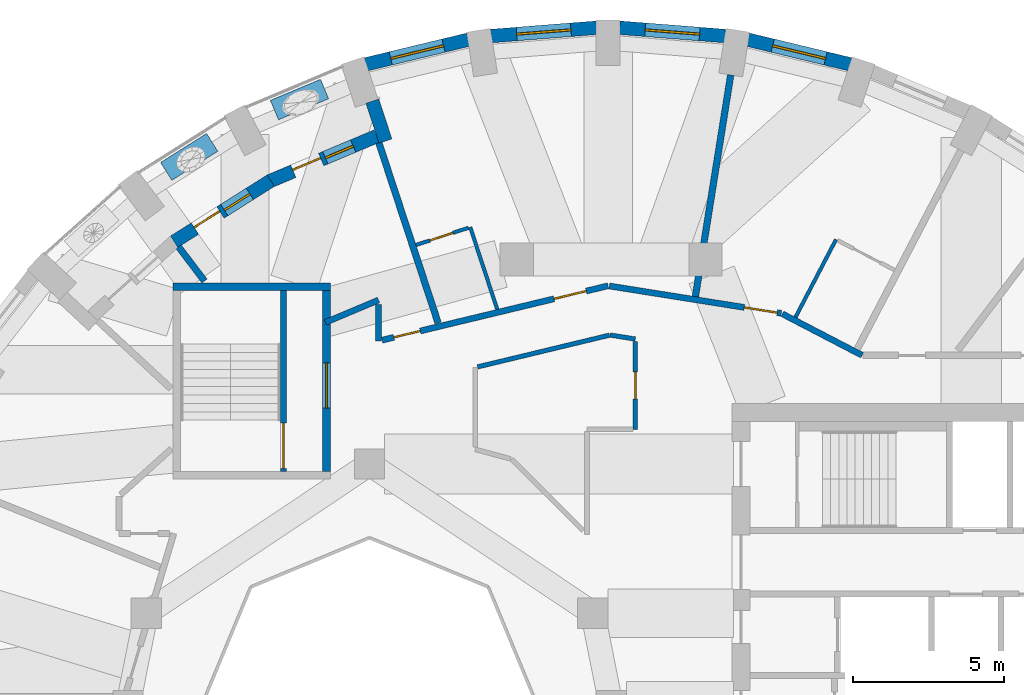
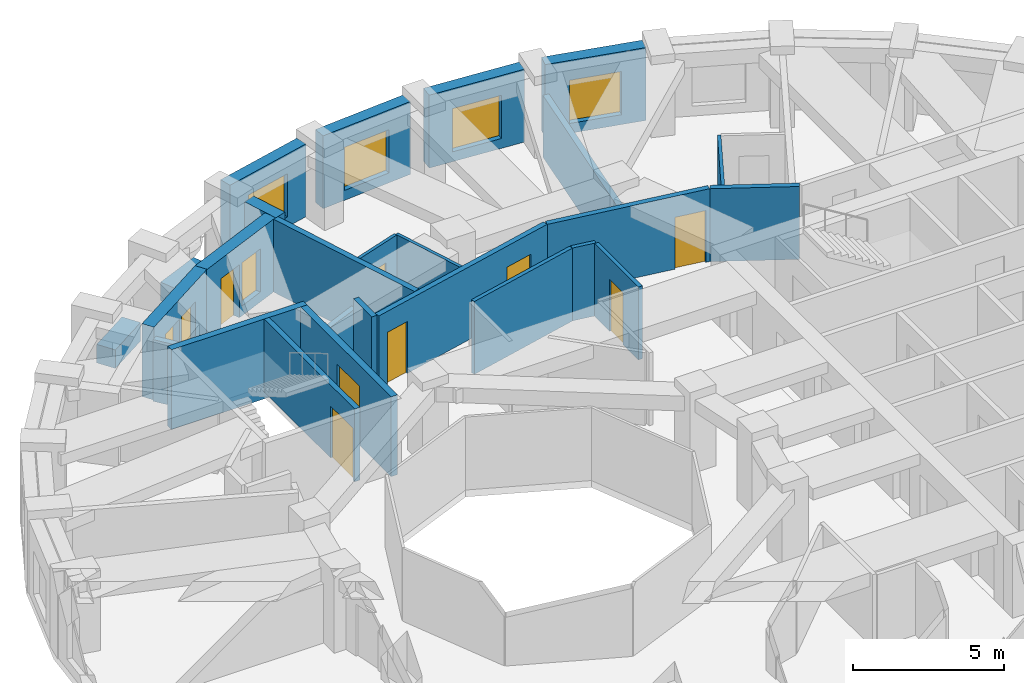
# One storey, part 7 of 12: 26 walls, 9 doors, 6 windows, 15 openings.
"""IFC4 building model written with IfcOpenShell, lengths in metres."""

import ifcopenshell
import ifcopenshell.guid

model = None  # the IFC model being written
_history = None  # IfcOwnerHistory: only IFC2X3 demands one
_inside = {}  # id of a spatial element -> (the spatial element, [elements in it])
_under = {}  # id of a project, library or spatial element -> (it, [spatial elements below it])
_declared = {}  # id of a project -> (the project, [libraries it declares])
_typed = {}  # id of a type object -> (the type object, [elements of that type])
_made_of = {}  # id of a material, layer set ... -> (it, [elements and type objects made of it])


def new_model(schema):
    """Start an empty IFC model of exactly this schema.

    Asked for "IFC4X3", IfcOpenShell would pick the latest addendum, in which some entities
    have other attributes; the version numbers below select the first issue.
    IFC2X3 requires an IfcOwnerHistory on every rooted entity: one is made here for all.
    """
    global model, _history
    if schema == "IFC4X3":
        model = ifcopenshell.file(schema_version=(4, 3, 0, 0))
    else:
        model = ifcopenshell.file(schema=schema)
    _inside.clear()
    _under.clear()
    _declared.clear()
    _typed.clear()
    _made_of.clear()
    _history = None
    if model.schema == "IFC2X3":
        org = make("IfcOrganization", Name="unknown")
        user = make(
            "IfcPersonAndOrganization",
            ThePerson=make("IfcPerson", FamilyName="unknown"),
            TheOrganization=org,
        )
        app = make(
            "IfcApplication",
            ApplicationDeveloper=org,
            Version="unknown",
            ApplicationFullName="unknown",
            ApplicationIdentifier="unknown",
        )
        _history = make(
            "IfcOwnerHistory",
            OwningUser=user,
            OwningApplication=app,
            ChangeAction="ADDED",
            CreationDate=0,
        )
    return model


def make(cls, **values):
    """One entity of the class cls with the attributes given. An attribute that is None is left unset."""
    return model.create_entity(
        cls, **{name: value for name, value in values.items() if value is not None}
    )


def rooted(cls, **values):
    """An entity with a GlobalId (a new one), such as an element, a storey or a relation."""
    return make(cls, GlobalId=ifcopenshell.guid.new(), OwnerHistory=_history, **values)


def si_unit(unit_type, name, prefix=None):
    """IfcSIUnit, for example si_unit("LENGTHUNIT", "METRE", prefix="MILLI")."""
    return make("IfcSIUnit", UnitType=unit_type, Prefix=prefix, Name=name)


def assignment(units):
    """IfcUnitAssignment: the units of a project."""
    return None if units is None else make("IfcUnitAssignment", Units=units)


def point(xyz):
    """IfcCartesianPoint."""
    return None if xyz is None else make("IfcCartesianPoint", Coordinates=xyz)


def direction(xyz):
    """IfcDirection."""
    return None if xyz is None else make("IfcDirection", DirectionRatios=xyz)


def frame(location, z_axis=None, x_axis=None):
    """IfcAxis2Placement3D, a coordinate frame: its origin and axes. An axis left out is left unset."""
    return make(
        "IfcAxis2Placement3D",
        Location=point(location),
        Axis=direction(z_axis),
        RefDirection=direction(x_axis),
    )


def frame_2d(location, x_axis=None):
    """IfcAxis2Placement2D, a coordinate frame in the plane: its origin and x axis."""
    return make(
        "IfcAxis2Placement2D", Location=point(location), RefDirection=direction(x_axis)
    )


def origin():
    """The frame at (0, 0, 0) with its axes left unset."""
    return frame((0.0, 0.0, 0.0))


def place(relative_to, where):
    """IfcLocalPlacement: puts the frame where relative to a parent placement (None: the world)."""
    return make(
        "IfcLocalPlacement", PlacementRelTo=relative_to, RelativePlacement=where
    )


def context(
    kind, dimensions, precision=None, world=None, true_north=None, identifier=None
):
    """IfcGeometricRepresentationContext, for example the 3D "Model" context."""
    return make(
        "IfcGeometricRepresentationContext",
        ContextIdentifier=identifier,
        ContextType=kind,
        CoordinateSpaceDimension=dimensions,
        Precision=precision,
        WorldCoordinateSystem=world,
        TrueNorth=true_north,
    )


def subcontext(parent, identifier, kind, view, scale=None):
    """IfcGeometricRepresentationSubContext, for example "Body" below "Model"."""
    return make(
        "IfcGeometricRepresentationSubContext",
        ContextIdentifier=identifier,
        ContextType=kind,
        ParentContext=parent,
        TargetScale=scale,
        TargetView=view,
    )


def project(units=None, contexts=None):
    """IfcProject with its units and contexts."""
    return rooted(
        "IfcProject",
        Name="project",
        RepresentationContexts=contexts,
        UnitsInContext=assignment(units),
    )


def spatial(cls, under=None, at=None, **own):
    """A site, building, storey or space (cls), placed at a placement, below another one or the project."""
    s = rooted(cls, ObjectPlacement=at, **own)
    if under is not None:
        _under.setdefault(under.id(), (under, []))[1].append(s)
    return s


def profile(cls, at=None, kind="AREA", **sizes):
    """A parametric profile (cls). Its sizes go by their IFC names, for example OverallWidth=200.0."""
    return make(cls, ProfileType=kind, Position=at, **sizes)


def rectangle(**sizes):
    """IfcRectangleProfileDef."""
    return profile("IfcRectangleProfileDef", **sizes)


def extrude(swept, where, along, depth):
    """IfcExtrudedAreaSolid: the profile swept, set in the frame where, extruded along a direction by depth."""
    return make(
        "IfcExtrudedAreaSolid",
        SweptArea=swept,
        Position=where,
        ExtrudedDirection=direction(along),
        Depth=depth,
    )


def shape(context_of_items, identifier, shape_type, items):
    """IfcShapeRepresentation: the items that make up one representation, for example the "Body"."""
    return make(
        "IfcShapeRepresentation",
        ContextOfItems=context_of_items,
        RepresentationIdentifier=identifier,
        RepresentationType=shape_type,
        Items=items,
    )


def material(Name=None, Category=None):
    """IfcMaterial."""
    return make("IfcMaterial", Name=Name, Category=Category)


def layer(
    of_material, thickness, ventilated=None, Name=None, Category=None, Priority=None
):
    """IfcMaterialLayer: one layer of a wall or slab, of a material (None: an air gap)."""
    return make(
        "IfcMaterialLayer",
        Material=of_material,
        LayerThickness=thickness,
        IsVentilated=ventilated,
        Name=Name,
        Category=Category,
        Priority=Priority,
    )


def layer_set(layers, Name=None):
    """IfcMaterialLayerSet."""
    return make("IfcMaterialLayerSet", MaterialLayers=layers, LayerSetName=Name)


def constituent(of_material, Name=None, Category=None, fraction=None):
    """IfcMaterialConstituent: one of the materials an element consists of."""
    return make(
        "IfcMaterialConstituent",
        Name=Name,
        Material=of_material,
        Fraction=fraction,
        Category=Category,
    )


def constituent_set(constituents=None, Name=None):
    """IfcMaterialConstituentSet."""
    return make(
        "IfcMaterialConstituentSet", Name=Name, MaterialConstituents=constituents
    )


def made_of(thing, what):
    """Note that an element or type object is made of a material, layer set ...; save() writes the relation."""
    if what is not None:
        _made_of.setdefault(what.id(), (what, []))[1].append(thing)
    return thing


def type_object(cls, material=None, **own):
    """A type object (cls), such as IfcWallType, which elements share."""
    return made_of(rooted(cls, **own), material)


def element(
    cls,
    number,
    at=None,
    inside=None,
    cuts=None,
    type_object=None,
    material=None,
    context=None,
    identifier="Body",
    shape_type=None,
    held_by="IfcProductDefinitionShape",
    body=None,
    shapes=None,
    **own,
):
    """One element of the class cls, such as IfcWall. Its Tag is "e" and its number.

    at: its placement. inside: the storey or other place that contains it. cuts: it is an
    opening in that element (IfcRelVoidsElement). A single representation is given by context,
    identifier, shape_type and body (its items); several are given by shapes. held_by: the class
    of the entity that holds the representations. save() writes the other relations.
    """
    e = rooted(cls, Tag="e%d" % number, ObjectPlacement=at, **own)
    if body is not None:
        shapes = [shape(context, identifier, shape_type, body)]
    if shapes is not None:
        e.Representation = make(held_by, Representations=shapes)
    if inside is not None:
        _inside.setdefault(inside.id(), (inside, []))[1].append(e)
    if cuts is not None:
        rooted(
            "IfcRelVoidsElement", RelatingBuildingElement=cuts, RelatedOpeningElement=e
        )
    if type_object is not None:
        _typed.setdefault(type_object.id(), (type_object, []))[1].append(e)
    return made_of(e, material)


def fill(opening, filler):
    """IfcRelFillsElement: the door or window that sits in an opening."""
    return rooted(
        "IfcRelFillsElement",
        RelatingOpeningElement=opening,
        RelatedBuildingElement=filler,
    )


def aggregate(whole, parts):
    """IfcRelAggregates: a whole, such as a stair, and the parts it consists of."""
    return rooted("IfcRelAggregates", RelatingObject=whole, RelatedObjects=parts)


def save(model, path):
    """Write the relations noted so far, then the file.

    IfcRelAggregates (storeys below a building ...), IfcRelContainedInSpatialStructure (elements
    in a storey), IfcRelDefinesByType, IfcRelAssociatesMaterial and IfcRelDeclares: one each for
    every whole, place, type object, material and project.
    """
    for whole, parts in _under.values():
        aggregate(whole, parts)
    for where, things in _inside.values():
        rooted(
            "IfcRelContainedInSpatialStructure",
            RelatedElements=things,
            RelatingStructure=where,
        )
    for kind, things in _typed.values():
        rooted("IfcRelDefinesByType", RelatedObjects=things, RelatingType=kind)
    for what, things in _made_of.values():
        rooted("IfcRelAssociatesMaterial", RelatedObjects=things, RelatingMaterial=what)
    for by, libraries in _declared.values():
        rooted("IfcRelDeclares", RelatingContext=by, RelatedDefinitions=libraries)
    model.write(path)


model = new_model("IFC4")

# Units and contexts
model_context = context("Model", 3, precision=1e-05, world=origin(), true_north=direction((0.0, 1.0)))
body_context = subcontext(model_context, "Body", "Model", "MODEL_VIEW")
ifc_project = project(units=[si_unit("LENGTHUNIT", "METRE"), si_unit("AREAUNIT", "SQUARE_METRE"), si_unit("VOLUMEUNIT", "CUBIC_METRE"), si_unit("PLANEANGLEUNIT", "RADIAN"), si_unit("MASSUNIT", "GRAM", prefix="KILO")], contexts=[model_context])

# Site, building, storey
site_placement = place(None, origin())
site = spatial("IfcSite", under=ifc_project, at=site_placement, CompositionType="ELEMENT")
building_placement = place(site_placement, origin())
building = spatial("IfcBuilding", under=site, at=building_placement, Name="Taillehof Tower", CompositionType="ELEMENT")
storey_placement = place(building_placement, frame((0.0, 0.0, 256.39990234375)))
storey = spatial("IfcBuildingStorey", under=building, at=storey_placement, Name="L73", CompositionType="ELEMENT", Elevation=256.39990234375)

# Wall, opening, window
ifc_material_1 = material(Name="Brick masonry", Category="masonry")
ifc_layer_1 = layer(ifc_material_1, 0.449951171875)
ifc_layer_set_1 = layer_set([ifc_layer_1], Name="Brick infill wall 450")
wall_type_1 = type_object("IfcWallType", Name="Brick infill wall 450", PredefinedType="SOLIDWALL", material=ifc_layer_set_1)
wall_1_placement = place(storey_placement, frame((7.918701171875, 21.231689453125, 0.0), z_axis=(0.0, 0.0, 1.0), x_axis=(-0.972099278496, 0.23456980357, 0.0)))
wall_1 = element("IfcWall", 1, at=wall_1_placement, inside=storey, type_object=wall_type_1, Name="Brick wall L73 bay 8", PredefinedType="SOLIDWALL", context=body_context, shape_type="SweptSolid", body=[
    extrude(rectangle(XDim=3.486572265625, YDim=0.449951171875, at=frame_2d((1.7431640625, 0.0))), origin(), (0.0, 0.0, 1.0), 2.9501953125),
])
opening_1_placement = place(wall_1_placement, frame((0.84326171875, 0.0, 0.39990234375)))
opening_1 = element("IfcOpeningElement", 2, at=opening_1_placement, cuts=wall_1, Name="Opening W4", PredefinedType="OPENING", context=body_context, shape_type="SweptSolid", body=[
    extrude(rectangle(XDim=1.800048828125, YDim=1.75, at=frame_2d((0.89990234375, 0.875))), frame((0.0, 0.23486328125, 0.0), z_axis=(0.0, -1.0, 0.0), x_axis=(1.0, 0.0, 0.0)), (0.0, 0.0, 1.0), 0.469970703125),
])
ifc_material_2 = material(Name="Aluminium window frame with clear double glazing", Category="aluminium")
window_type_1 = type_object("IfcWindowType", Name="Deep-set window 1800x1750", PartitioningType="SINGLE_PANEL", PredefinedType="WINDOW", material=ifc_material_2)
window_1_placement = place(opening_1_placement, origin())
window_1 = element("IfcWindow", 3, at=window_1_placement, inside=storey, type_object=window_type_1, Name="W4", OverallHeight=1.75, OverallWidth=1.800048828125, PartitioningType="SINGLE_PANEL", PredefinedType="WINDOW", context=body_context, shape_type="SweptSolid", body=[
    extrude(rectangle(XDim=1.800048828125, YDim=1.75, at=frame_2d((0.89990234375, 0.875))), frame((0.0, 0.034912109375, 0.0), z_axis=(0.0, -1.0, 0.0), x_axis=(1.0, 0.0, 0.0)), (0.0, 0.0, 1.0), 0.06005859375),
])
fill(opening_1, window_1)

wall_2_placement = place(storey_placement, frame((3.778564453125, 22.168701171875, 0.0), z_axis=(0.0, 0.0, 1.0), x_axis=(-0.996910775835, 0.078542377245, 0.0)))
wall_2 = element("IfcWall", 4, at=wall_2_placement, inside=storey, type_object=wall_type_1, Name="Brick wall L73 bay 9", PredefinedType="SOLIDWALL", context=body_context, shape_type="SweptSolid", body=[
    extrude(rectangle(XDim=3.50927734375, YDim=0.449951171875, at=frame_2d((1.754638671875, 0.0))), origin(), (0.0, 0.0, 1.0), 2.9501953125),
])
opening_2_placement = place(wall_2_placement, frame((0.854736328125, 0.0, 0.39990234375)))
opening_2 = element("IfcOpeningElement", 5, at=opening_2_placement, cuts=wall_2, Name="Opening W4", PredefinedType="OPENING", context=body_context, shape_type="SweptSolid", body=[
    extrude(rectangle(XDim=1.800048828125, YDim=1.75, at=frame_2d((0.89990234375, 0.875))), frame((0.0, 0.23486328125, 0.0), z_axis=(0.0, -1.0, 0.0), x_axis=(1.0, 0.0, 0.0)), (0.0, 0.0, 1.0), 0.469970703125),
])
window_2_placement = place(opening_2_placement, origin())
window_2 = element("IfcWindow", 6, at=window_2_placement, inside=storey, type_object=window_type_1, Name="W4", OverallHeight=1.75, OverallWidth=1.800048828125, PartitioningType="SINGLE_PANEL", PredefinedType="WINDOW", context=body_context, shape_type="SweptSolid", body=[
    extrude(rectangle(XDim=1.800048828125, YDim=1.75, at=frame_2d((0.89990234375, 0.875))), frame((0.0, 0.034912109375, 0.0), z_axis=(0.0, -1.0, 0.0), x_axis=(1.0, 0.0, 0.0)), (0.0, 0.0, 1.0), 0.06005859375),
])
fill(opening_2, window_2)

wall_3_placement = place(storey_placement, frame((-0.47998046875, 22.4443359375, 0.0), z_axis=(0.0, 0.0, 1.0), x_axis=(-0.996910775835, -0.078542377245, 0.0)))
wall_3 = element("IfcWall", 7, at=wall_3_placement, inside=storey, type_object=wall_type_1, Name="Brick wall L73 bay 10", PredefinedType="SOLIDWALL", context=body_context, shape_type="SweptSolid", body=[
    extrude(rectangle(XDim=3.50927734375, YDim=0.449951171875, at=frame_2d((1.754638671875, 0.0))), origin(), (0.0, 0.0, 1.0), 2.9501953125),
])
opening_3_placement = place(wall_3_placement, frame((0.854736328125, 0.0, 0.39990234375)))
opening_3 = element("IfcOpeningElement", 8, at=opening_3_placement, cuts=wall_3, Name="Opening W4", PredefinedType="OPENING", context=body_context, shape_type="SweptSolid", body=[
    extrude(rectangle(XDim=1.800048828125, YDim=1.75, at=frame_2d((0.89990234375, 0.875))), frame((0.0, 0.23486328125, 0.0), z_axis=(0.0, -1.0, 0.0), x_axis=(1.0, 0.0, 0.0)), (0.0, 0.0, 1.0), 0.469970703125),
])
window_3_placement = place(opening_3_placement, origin())
window_3 = element("IfcWindow", 9, at=window_3_placement, inside=storey, type_object=window_type_1, Name="W4", OverallHeight=1.75, OverallWidth=1.800048828125, PartitioningType="SINGLE_PANEL", PredefinedType="WINDOW", context=body_context, shape_type="SweptSolid", body=[
    extrude(rectangle(XDim=1.800048828125, YDim=1.75, at=frame_2d((0.89990234375, 0.875))), frame((0.0, 0.034912109375, 0.0), z_axis=(0.0, -1.0, 0.0), x_axis=(1.0, 0.0, 0.0)), (0.0, 0.0, 1.0), 0.06005859375),
])
fill(opening_3, window_3)

wall_4_placement = place(storey_placement, frame((-4.729248046875, 22.049560546875, 0.0), z_axis=(0.0, 0.0, 1.0), x_axis=(-0.972099278496, -0.23456980357, 0.0)))
wall_4 = element("IfcWall", 10, at=wall_4_placement, inside=storey, type_object=wall_type_1, Name="Brick wall L73 bay 11", PredefinedType="SOLIDWALL", context=body_context, shape_type="SweptSolid", body=[
    extrude(rectangle(XDim=3.486572265625, YDim=0.449951171875, at=frame_2d((1.7431640625, 0.0))), origin(), (0.0, 0.0, 1.0), 2.9501953125),
])
opening_4_placement = place(wall_4_placement, frame((0.84326171875, 0.0, 0.39990234375)))
opening_4 = element("IfcOpeningElement", 11, at=opening_4_placement, cuts=wall_4, Name="Opening W4", PredefinedType="OPENING", context=body_context, shape_type="SweptSolid", body=[
    extrude(rectangle(XDim=1.800048828125, YDim=1.75, at=frame_2d((0.89990234375, 0.875))), frame((0.0, 0.23486328125, 0.0), z_axis=(0.0, -1.0, 0.0), x_axis=(1.0, 0.0, 0.0)), (0.0, 0.0, 1.0), 0.469970703125),
])
window_4_placement = place(opening_4_placement, origin())
window_4 = element("IfcWindow", 12, at=window_4_placement, inside=storey, type_object=window_type_1, Name="W4", OverallHeight=1.75, OverallWidth=1.800048828125, PartitioningType="SINGLE_PANEL", PredefinedType="WINDOW", context=body_context, shape_type="SweptSolid", body=[
    extrude(rectangle(XDim=1.800048828125, YDim=1.75, at=frame_2d((0.89990234375, 0.875))), frame((0.0, 0.034912109375, 0.0), z_axis=(0.0, -1.0, 0.0), x_axis=(1.0, 0.0, 0.0)), (0.0, 0.0, 1.0), 0.06005859375),
])
fill(opening_4, window_4)

# Wall
wall_5_placement = place(storey_placement, frame((-7.90625, 20.013671875, 0.0), z_axis=(0.0, 0.0, 1.0), x_axis=(0.312379684595, -0.949957332017, 0.0)))
element("IfcWall", 13, at=wall_5_placement, inside=storey, type_object=wall_type_1, Name="Brick reveal L73 pocket 3", PredefinedType="SOLIDWALL", context=body_context, shape_type="SweptSolid", body=[
    extrude(rectangle(XDim=1.390380859375, YDim=0.449951171875, at=frame_2d((0.6953125, 0.0))), origin(), (0.0, 0.0, 1.0), 2.9501953125),
])

# Wall, openings, door, window
wall_6_placement = place(storey_placement, frame((-7.761962890625, 18.854736328125, 0.0), z_axis=(0.0, 0.0, 1.0), x_axis=(-0.921611451737, -0.388113813239, 0.0)))
wall_6 = element("IfcWall", 14, at=wall_6_placement, inside=storey, type_object=wall_type_1, Name="Brick wall L73 pocket bay 12", PredefinedType="SOLIDWALL", context=body_context, shape_type="SweptSolid", body=[
    extrude(rectangle(XDim=3.84228515625, YDim=0.449951171875, at=frame_2d((1.921142578125, 0.0))), origin(), (0.0, 0.0, 1.0), 2.9501953125),
])
opening_5_placement = place(wall_6_placement, frame((0.845947265625, 0.0, 0.39990234375)))
opening_5 = element("IfcOpeningElement", 15, at=opening_5_placement, cuts=wall_6, Name="Opening W5", PredefinedType="OPENING", context=body_context, shape_type="SweptSolid", body=[
    extrude(rectangle(XDim=1.0, YDim=1.75, at=frame_2d((0.5, 0.875))), frame((0.0, 0.23486328125, 0.0), z_axis=(0.0, -1.0, 0.0), x_axis=(1.0, 0.0, 0.0)), (0.0, 0.0, 1.0), 0.469970703125),
])
opening_6_placement = place(wall_6_placement, frame((1.99609375, 0.0, 0.0)))
opening_6 = element("IfcOpeningElement", 16, at=opening_6_placement, cuts=wall_6, Name="Opening D7391", PredefinedType="OPENING", context=body_context, shape_type="SweptSolid", body=[
    extrude(rectangle(XDim=1.0, YDim=2.14990234375, at=frame_2d((0.5, 1.074951171875))), frame((0.0, 0.23486328125, 0.0), z_axis=(0.0, -1.0, 0.0), x_axis=(1.0, 0.0, 0.0)), (0.0, 0.0, 1.0), 0.469970703125),
])
ifc_material_3 = material(Name="Aluminium door frame with clear double glazing", Category="aluminium")
door_type_1 = type_object("IfcDoorType", Name="Balcony door 1000x2150", OperationType="SINGLE_SWING_RIGHT", PredefinedType="DOOR", material=ifc_material_3)
door_1_placement = place(opening_6_placement, frame((1.0, 0.0, 0.0), z_axis=(0.0, 0.0, 1.0), x_axis=(-1.0, 0.0, 0.0)))
door_1 = element("IfcDoor", 17, at=door_1_placement, inside=storey, type_object=door_type_1, Name="Balcony door L73 bay 12", OperationType="SINGLE_SWING_RIGHT", OverallHeight=2.14990234375, OverallWidth=1.0, PredefinedType="DOOR", context=body_context, shape_type="SweptSolid", body=[
    extrude(rectangle(XDim=1.0, YDim=2.14990234375, at=frame_2d((0.5, 1.074951171875))), frame((0.0, 0.0751953125, 0.0), z_axis=(0.0, -1.0, 0.0), x_axis=(1.0, 0.0, 0.0)), (0.0, 0.0, 1.0), 0.050048828125),
])
fill(opening_6, door_1)
ifc_material_4 = material(Name="Aluminium window frame with clear double glazing", Category="aluminium")
window_type_2 = type_object("IfcWindowType", Name="Fixed window 1000x1750", PartitioningType="SINGLE_PANEL", PredefinedType="WINDOW", material=ifc_material_4)
window_5_placement = place(opening_5_placement, origin())
window_5 = element("IfcWindow", 18, at=window_5_placement, inside=storey, type_object=window_type_2, Name="W5", OverallHeight=1.75, OverallWidth=1.0, PartitioningType="SINGLE_PANEL", PredefinedType="WINDOW", context=body_context, shape_type="SweptSolid", body=[
    extrude(rectangle(XDim=1.0, YDim=1.75, at=frame_2d((0.5, 0.875))), frame((0.0, 0.034912109375, 0.0), z_axis=(0.0, -1.0, 0.0), x_axis=(1.0, 0.0, 0.0)), (0.0, 0.0, 1.0), 0.06005859375),
])
fill(opening_5, window_5)

wall_7_placement = place(storey_placement, frame((-11.27001953125, 17.380859375, 0.0), z_axis=(0.0, 0.0, 1.0), x_axis=(-0.845176295427, -0.534487632831, 0.0)))
wall_7 = element("IfcWall", 19, at=wall_7_placement, inside=storey, type_object=wall_type_1, Name="Brick wall L73 pocket bay 13", PredefinedType="SOLIDWALL", context=body_context, shape_type="SweptSolid", body=[
    extrude(rectangle(XDim=3.78759765625, YDim=0.449951171875, at=frame_2d((1.893798828125, 0.0))), origin(), (0.0, 0.0, 1.0), 2.9501953125),
])
opening_7_placement = place(wall_7_placement, frame((0.81884765625, 0.0, 0.39990234375)))
opening_7 = element("IfcOpeningElement", 20, at=opening_7_placement, cuts=wall_7, Name="Opening W5", PredefinedType="OPENING", context=body_context, shape_type="SweptSolid", body=[
    extrude(rectangle(XDim=1.0, YDim=1.75, at=frame_2d((0.5, 0.875))), frame((0.0, 0.23486328125, 0.0), z_axis=(0.0, -1.0, 0.0), x_axis=(1.0, 0.0, 0.0)), (0.0, 0.0, 1.0), 0.469970703125),
])
opening_8_placement = place(wall_7_placement, frame((1.96875, 0.0, 0.0)))
opening_8 = element("IfcOpeningElement", 21, at=opening_8_placement, cuts=wall_7, Name="Opening D7392", PredefinedType="OPENING", context=body_context, shape_type="SweptSolid", body=[
    extrude(rectangle(XDim=1.0, YDim=2.14990234375, at=frame_2d((0.5, 1.074951171875))), frame((0.0, 0.23486328125, 0.0), z_axis=(0.0, -1.0, 0.0), x_axis=(1.0, 0.0, 0.0)), (0.0, 0.0, 1.0), 0.469970703125),
])
door_2_placement = place(opening_8_placement, frame((1.0, 0.0, 0.0), z_axis=(0.0, 0.0, 1.0), x_axis=(-1.0, 0.0, 0.0)))
door_2 = element("IfcDoor", 22, at=door_2_placement, inside=storey, type_object=door_type_1, Name="Balcony door L73 bay 13", OperationType="SINGLE_SWING_LEFT", OverallHeight=2.14990234375, OverallWidth=1.0, PredefinedType="DOOR", context=body_context, shape_type="SweptSolid", body=[
    extrude(rectangle(XDim=1.0, YDim=2.14990234375, at=frame_2d((0.5, 1.074951171875))), frame((0.0, 0.0751953125, 0.0), z_axis=(0.0, -1.0, 0.0), x_axis=(1.0, 0.0, 0.0)), (0.0, 0.0, 1.0), 0.050048828125),
])
fill(opening_8, door_2)
window_6_placement = place(opening_7_placement, origin())
window_6 = element("IfcWindow", 23, at=window_6_placement, inside=storey, type_object=window_type_2, Name="W5", OverallHeight=1.75, OverallWidth=1.0, PartitioningType="SINGLE_PANEL", PredefinedType="WINDOW", context=body_context, shape_type="SweptSolid", body=[
    extrude(rectangle(XDim=1.0, YDim=1.75, at=frame_2d((0.5, 0.875))), frame((0.0, 0.034912109375, 0.0), z_axis=(0.0, -1.0, 0.0), x_axis=(1.0, 0.0, 0.0)), (0.0, 0.0, 1.0), 0.06005859375),
])
fill(opening_7, window_6)

# Walls
ifc_material_5 = material(Name="Gypsum board on steel studs, two layers each side", Category="steel")
ifc_layer_2 = layer(ifc_material_5, 0.199951171875)
ifc_layer_set_2 = layer_set([ifc_layer_2], Name="Compartment wall corridor 200")
wall_type_2 = type_object("IfcWallType", Name="Compartment wall corridor 200", PredefinedType="PARTITIONING", material=ifc_layer_set_2)
wall_8_placement = place(storey_placement, frame((-9.46044921875, 12.687255859375, 0.0), z_axis=(0.0, 0.0, 1.0), x_axis=(0.92164499827, 0.388034144328, 0.0)))
element("IfcWall", 24, at=wall_8_placement, inside=storey, type_object=wall_type_2, Name="Compartment wall", PredefinedType="PARTITIONING", context=body_context, shape_type="SweptSolid", body=[
    extrude(rectangle(XDim=1.91015625, YDim=0.199951171875, at=frame_2d((0.955078125, 0.0))), origin(), (0.0, 0.0, 1.0), 2.5),
])
wall_9_placement = place(storey_placement, frame((-7.699951171875, 13.288330078125, 0.0), z_axis=(0.0, 0.0, 1.0), x_axis=(0.0, -1.0, 0.0)))
element("IfcWall", 25, at=wall_9_placement, inside=storey, type_object=wall_type_2, Name="Compartment wall", PredefinedType="PARTITIONING", context=body_context, shape_type="SweptSolid", body=[
    extrude(rectangle(XDim=1.21630859375, YDim=0.199951171875, at=frame_2d((0.608154296875, 0.0))), origin(), (0.0, 0.0, 1.0), 2.9501953125),
])

# Wall, openings, doors
wall_10_placement = place(storey_placement, frame((-7.582763671875, 12.099853515625, 0.0), z_axis=(0.0, 0.0, 1.0), x_axis=(0.97226305798, 0.233890029903, 0.0)))
wall_10 = element("IfcWall", 26, at=wall_10_placement, inside=storey, type_object=wall_type_2, Name="Compartment wall", PredefinedType="PARTITIONING", context=body_context, shape_type="SweptSolid", body=[
    extrude(rectangle(XDim=7.696044921875, YDim=0.199951171875, at=frame_2d((3.84814453125, 0.0))), origin(), (0.0, 0.0, 1.0), 2.9501953125),
])
opening_9_placement = place(wall_10_placement, frame((5.85009765625, 0.0, 0.0)))
opening_9 = element("IfcOpeningElement", 27, at=opening_9_placement, cuts=wall_10, Name="Opening D7343", PredefinedType="OPENING", context=body_context, shape_type="SweptSolid", body=[
    extrude(rectangle(XDim=1.10009765625, YDim=2.10009765625, at=frame_2d((0.550048828125, 1.050048828125))), frame((0.0, 0.10986328125, 0.0), z_axis=(0.0, -1.0, 0.0), x_axis=(1.0, 0.0, 0.0)), (0.0, 0.0, 1.0), 0.219970703125),
])
opening_10_placement = place(wall_10_placement, frame((0.398681640625, 0.0, 0.0)))
opening_10 = element("IfcOpeningElement", 28, at=opening_10_placement, cuts=wall_10, Name="Opening D7345", PredefinedType="OPENING", context=body_context, shape_type="SweptSolid", body=[
    extrude(rectangle(XDim=0.89990234375, YDim=2.10009765625, at=frame_2d((0.449951171875, 1.050048828125))), frame((0.0, 0.10986328125, 0.0), z_axis=(0.0, -1.0, 0.0), x_axis=(1.0, 0.0, 0.0)), (0.0, 0.0, 1.0), 0.219970703125),
])
ifc_material_6 = material(Name="Timber door leaf in steel frame", Category="steel")
door_type_2 = type_object("IfcDoorType", Name="Service room door EI 30 900 x 2100", OperationType="SINGLE_SWING_LEFT", PredefinedType="DOOR", material=ifc_material_6)
door_3_placement = place(opening_10_placement, origin())
door_3 = element("IfcDoor", 29, at=door_3_placement, inside=storey, type_object=door_type_2, Name="D7345", OperationType="SINGLE_SWING_LEFT", OverallHeight=2.10009765625, OverallWidth=0.89990234375, PredefinedType="DOOR", context=body_context, shape_type="SweptSolid", body=[
    extrude(rectangle(XDim=0.89990234375, YDim=2.10009765625, at=frame_2d((0.449951171875, 1.050048828125))), frame((0.0, 0.02490234375, 0.0), z_axis=(0.0, -1.0, 0.0), x_axis=(1.0, 0.0, 0.0)), (0.0, 0.0, 1.0), 0.050048828125),
])
fill(opening_10, door_3)
ifc_material_7 = material(Name="Timber door leaf in steel frame", Category="steel")
door_type_3 = type_object("IfcDoorType", Name="Suite entrance door EI 30 1100 x 2100", OperationType="SINGLE_SWING_LEFT", PredefinedType="DOOR", material=ifc_material_7)
door_4_placement = place(opening_9_placement, origin())
door_4 = element("IfcDoor", 30, at=door_4_placement, inside=storey, type_object=door_type_3, Name="D7343", OperationType="SINGLE_SWING_LEFT", OverallHeight=2.10009765625, OverallWidth=1.10009765625, PredefinedType="DOOR", context=body_context, shape_type="SweptSolid", body=[
    extrude(rectangle(XDim=1.10009765625, YDim=2.10009765625, at=frame_2d((0.550048828125, 1.050048828125))), frame((0.0, 0.02490234375, 0.0), z_axis=(0.0, -1.0, 0.0), x_axis=(1.0, 0.0, 0.0)), (0.0, 0.0, 1.0), 0.050048828125),
])
fill(opening_9, door_4)

# Wall, opening, door
wall_11_placement = place(storey_placement, frame((-0.060546875, 13.8935546875, 0.0), z_axis=(0.0, 0.0, 1.0), x_axis=(0.987623870558, -0.156840971383, 0.0)))
wall_11 = element("IfcWall", 31, at=wall_11_placement, inside=storey, type_object=wall_type_2, Name="Compartment wall", PredefinedType="PARTITIONING", context=body_context, shape_type="SweptSolid", body=[
    extrude(rectangle(XDim=5.765625, YDim=0.199951171875, at=frame_2d((2.8828125, 0.0))), origin(), (0.0, 0.0, 1.0), 2.9501953125),
])
opening_11_placement = place(wall_11_placement, frame((4.525634765625, 0.0, 0.0)))
opening_11 = element("IfcOpeningElement", 32, at=opening_11_placement, cuts=wall_11, Name="Opening D7341", PredefinedType="OPENING", context=body_context, shape_type="SweptSolid", body=[
    extrude(rectangle(XDim=1.10009765625, YDim=2.10009765625, at=frame_2d((0.550048828125, 1.050048828125))), frame((0.0, 0.10986328125, 0.0), z_axis=(0.0, -1.0, 0.0), x_axis=(1.0, 0.0, 0.0)), (0.0, 0.0, 1.0), 0.219970703125),
])
ifc_material_8 = material(Name="Timber door leaf in steel frame", Category="steel")
door_type_4 = type_object("IfcDoorType", Name="Accessible guest room door EI 30 1100 x 2100", OperationType="SINGLE_SWING_LEFT", PredefinedType="DOOR", material=ifc_material_8)
door_5_placement = place(opening_11_placement, origin())
door_5 = element("IfcDoor", 33, at=door_5_placement, inside=storey, type_object=door_type_4, Name="D7341", OperationType="SINGLE_SWING_RIGHT", OverallHeight=2.10009765625, OverallWidth=1.10009765625, PredefinedType="DOOR", context=body_context, shape_type="SweptSolid", body=[
    extrude(rectangle(XDim=1.10009765625, YDim=2.10009765625, at=frame_2d((0.550048828125, 1.050048828125))), frame((0.0, 0.02490234375, 0.0), z_axis=(0.0, -1.0, 0.0), x_axis=(1.0, 0.0, 0.0)), (0.0, 0.0, 1.0), 0.050048828125),
])
fill(opening_11, door_5)

# Walls
wall_12_placement = place(storey_placement, frame((5.66943359375, 12.970703125, 0.0), z_axis=(0.0, 0.0, 1.0), x_axis=(0.887284047921, -0.461223393058, 0.0)))
element("IfcWall", 34, at=wall_12_placement, inside=storey, type_object=wall_type_2, Name="Compartment wall", PredefinedType="PARTITIONING", context=body_context, shape_type="SweptSolid", body=[
    extrude(rectangle(XDim=2.9716796875, YDim=0.199951171875, at=frame_2d((1.48583984375, 0.0))), origin(), (0.0, 0.0, 1.0), 2.9501953125),
])
ifc_material_9 = material(Name="Gypsum board on double steel studs with mineral wool", Category="steel")
ifc_layer_3 = layer(ifc_material_9, 0.219970703125)
ifc_layer_set_3 = layer_set([ifc_layer_3], Name="Compartment wall guest room 220")
wall_type_3 = type_object("IfcWallType", Name="Compartment wall guest room 220", PredefinedType="PARTITIONING", material=ifc_layer_set_3)
wall_13_placement = place(storey_placement, frame((3.958251953125, 20.88037109375, 0.0), z_axis=(0.0, 0.0, 1.0), x_axis=(-0.157281826031, -0.987553759144, 0.0)))
element("IfcWall", 35, at=wall_13_placement, inside=storey, type_object=wall_type_3, Name="Compartment wall", PredefinedType="PARTITIONING", context=body_context, shape_type="SweptSolid", body=[
    extrude(rectangle(XDim=7.4306640625, YDim=0.219970703125, at=frame_2d((3.71533203125, 0.0))), origin(), (0.0, 0.0, 1.0), 2.5),
])
wall_14_placement = place(storey_placement, frame((-7.691650390625, 18.640380859375, 0.0), z_axis=(0.0, 0.0, 1.0), x_axis=(0.312298025569, -0.949984180514, 0.0)))
element("IfcWall", 36, at=wall_14_placement, inside=storey, type_object=wall_type_3, Name="Compartment wall", PredefinedType="PARTITIONING", context=body_context, shape_type="SweptSolid", body=[
    extrude(rectangle(XDim=6.285400390625, YDim=0.219970703125, at=frame_2d((3.142578125, 0.0))), origin(), (0.0, 0.0, 1.0), 2.9501953125),
])
wall_15_placement = place(storey_placement, frame((-14.318603515625, 15.186767578125, 0.0), z_axis=(0.0, 0.0, 1.0), x_axis=(0.603937349714, -0.797031792101, 0.0)))
element("IfcWall", 37, at=wall_15_placement, inside=storey, type_object=wall_type_3, Name="Compartment wall", PredefinedType="PARTITIONING", context=body_context, shape_type="SweptSolid", body=[
    extrude(rectangle(XDim=1.416015625, YDim=0.219970703125, at=frame_2d((0.7080078125, 0.0))), origin(), (0.0, 0.0, 1.0), 2.5),
])
ifc_material_10 = material(Name="Gypsum board on steel studs, two layers each side", Category="steel")
ifc_layer_4 = layer(ifc_material_10, 0.14990234375)
ifc_layer_set_4 = layer_set([ifc_layer_4], Name="Compartment wall service room 150")
wall_type_4 = type_object("IfcWallType", Name="Compartment wall service room 150", PredefinedType="PARTITIONING", material=ifc_layer_set_4)
wall_16_placement = place(storey_placement, frame((-0.035888671875, 12.269775390625, 0.0), z_axis=(0.0, 0.0, 1.0), x_axis=(0.987612834354, -0.156910450318, 0.0)))
element("IfcWall", 38, at=wall_16_placement, inside=storey, type_object=wall_type_4, Name="Compartment wall", PredefinedType="PARTITIONING", context=body_context, shape_type="SweptSolid", body=[
    extrude(rectangle(XDim=0.846435546875, YDim=0.14990234375, at=frame_2d((0.42333984375, 0.0))), origin(), (0.0, 0.0, 1.0), 2.9501953125),
])

# Wall, opening, door
wall_17_placement = place(storey_placement, frame((0.800048828125, 12.056884765625, 0.0), z_axis=(0.0, 0.0, 1.0), x_axis=(0.0, -1.0, 0.0)))
wall_17 = element("IfcWall", 39, at=wall_17_placement, inside=storey, type_object=wall_type_4, Name="Compartment wall", PredefinedType="PARTITIONING", context=body_context, shape_type="SweptSolid", body=[
    extrude(rectangle(XDim=2.906982421875, YDim=0.14990234375, at=frame_2d((1.45361328125, 0.0))), origin(), (0.0, 0.0, 1.0), 2.9501953125),
])
opening_12_placement = place(wall_17_placement, frame((1.00341796875, 0.0, 0.0)))
opening_12 = element("IfcOpeningElement", 40, at=opening_12_placement, cuts=wall_17, Name="Opening D7359", PredefinedType="OPENING", context=body_context, shape_type="SweptSolid", body=[
    extrude(rectangle(XDim=0.89990234375, YDim=2.10009765625, at=frame_2d((0.449951171875, 1.050048828125))), frame((0.0, 0.0849609375, 0.0), z_axis=(0.0, -1.0, 0.0), x_axis=(1.0, 0.0, 0.0)), (0.0, 0.0, 1.0), 0.169921875),
])
door_6_placement = place(opening_12_placement, origin())
door_6 = element("IfcDoor", 41, at=door_6_placement, inside=storey, type_object=door_type_2, Name="D7359", OperationType="SINGLE_SWING_LEFT", OverallHeight=2.10009765625, OverallWidth=0.89990234375, PredefinedType="DOOR", context=body_context, shape_type="SweptSolid", body=[
    extrude(rectangle(XDim=0.89990234375, YDim=2.10009765625, at=frame_2d((0.449951171875, 1.050048828125))), frame((0.0, 0.02490234375, 0.0), z_axis=(0.0, -1.0, 0.0), x_axis=(1.0, 0.0, 0.0)), (0.0, 0.0, 1.0), 0.050048828125),
])
fill(opening_12, door_6)

# Walls
wall_18_placement = place(storey_placement, frame((-4.421875, 11.214599609375, 0.0), z_axis=(0.0, 0.0, 1.0), x_axis=(0.972256385538, 0.233917764997, 0.0)))
element("IfcWall", 42, at=wall_18_placement, inside=storey, type_object=wall_type_4, Name="Compartment wall", PredefinedType="PARTITIONING", context=body_context, shape_type="SweptSolid", body=[
    extrude(rectangle(XDim=4.490966796875, YDim=0.14990234375, at=frame_2d((2.24560546875, 0.0))), origin(), (0.0, 0.0, 1.0), 2.9501953125),
])
ifc_material_11 = material(Name="Gypsum board on steel studs, moisture resistant", Category="steel")
ifc_layer_5 = layer(ifc_material_11, 0.1201171875)
ifc_layer_set_5 = layer_set([ifc_layer_5], Name="En-suite wall 120")
wall_type_5 = type_object("IfcWallType", Name="En-suite wall 120", PredefinedType="PARTITIONING", material=ifc_layer_set_5)
wall_19_placement = place(storey_placement, frame((6.1025390625, 12.858154296875, 0.0), z_axis=(0.0, 0.0, 1.0), x_axis=(0.462353319711, 0.886695780836, 0.0)))
element("IfcWall", 43, at=wall_19_placement, inside=storey, type_object=wall_type_5, Name="En-suite wall", PredefinedType="PARTITIONING", context=body_context, shape_type="SweptSolid", body=[
    extrude(rectangle(XDim=2.903076171875, YDim=0.1201171875, at=frame_2d((1.45166015625, 0.0))), origin(), (0.0, 0.0, 1.0), 2.9501953125),
])
wall_20_placement = place(storey_placement, frame((-3.771240234375, 13.119873046875, 0.0), z_axis=(0.0, 0.0, 1.0), x_axis=(-0.312336886671, 0.949971404425, 0.0)))
element("IfcWall", 44, at=wall_20_placement, inside=storey, type_object=wall_type_5, Name="En-suite wall", PredefinedType="PARTITIONING", context=body_context, shape_type="SweptSolid", body=[
    extrude(rectangle(XDim=2.86328125, YDim=0.1201171875, at=frame_2d((1.431640625, 0.0))), origin(), (0.0, 0.0, 1.0), 2.9501953125),
])

# Wall, opening, door
wall_21_placement = place(storey_placement, frame((-4.722412109375, 15.821044921875, 0.0), z_axis=(0.0, 0.0, 1.0), x_axis=(-0.949995576072, -0.312263359111, 0.0)))
wall_21 = element("IfcWall", 45, at=wall_21_placement, inside=storey, type_object=wall_type_5, Name="En-suite wall", PredefinedType="PARTITIONING", context=body_context, shape_type="SweptSolid", body=[
    extrude(rectangle(XDim=1.830322265625, YDim=0.1201171875, at=frame_2d((0.9150390625, 0.0))), origin(), (0.0, 0.0, 1.0), 2.9501953125),
])
opening_13_placement = place(wall_21_placement, frame((0.540283203125, 0.0, 0.0)))
opening_13 = element("IfcOpeningElement", 46, at=opening_13_placement, cuts=wall_21, Name="Opening D7344", PredefinedType="OPENING", context=body_context, shape_type="SweptSolid", body=[
    extrude(rectangle(XDim=0.800048828125, YDim=2.10009765625, at=frame_2d((0.39990234375, 1.050048828125))), frame((0.0, 0.070068359375, 0.0), z_axis=(0.0, -1.0, 0.0), x_axis=(1.0, 0.0, 0.0)), (0.0, 0.0, 1.0), 0.14013671875),
])
ifc_material_12 = material(Name="Timber door leaf in steel frame", Category="steel")
door_type_5 = type_object("IfcDoorType", Name="En-suite door 800 x 2100", OperationType="SINGLE_SWING_LEFT", PredefinedType="DOOR", material=ifc_material_12)
door_7_placement = place(opening_13_placement, origin())
door_7 = element("IfcDoor", 47, at=door_7_placement, inside=storey, type_object=door_type_5, Name="D7344", OperationType="SINGLE_SWING_LEFT", OverallHeight=2.10009765625, OverallWidth=0.800048828125, PredefinedType="DOOR", context=body_context, shape_type="SweptSolid", body=[
    extrude(rectangle(XDim=0.800048828125, YDim=2.10009765625, at=frame_2d((0.39990234375, 1.050048828125))), frame((0.0, 0.02490234375, 0.0), z_axis=(0.0, -1.0, 0.0), x_axis=(1.0, 0.0, 0.0)), (0.0, 0.0, 1.0), 0.050048828125),
])
fill(opening_13, door_7)

# Walls
ifc_material_13 = material(Name="Concrete C30/37 precast", Category="concrete")
ifc_constituent_1 = constituent(ifc_material_13, Name="Structure", Category="concrete")
ifc_material_14 = material(Name="Insulated lining")
ifc_constituent_2 = constituent(ifc_material_14, Name="Lining")
ifc_constituent_set = constituent_set(constituents=[ifc_constituent_1, ifc_constituent_2], Name="Planter trough 700x750")
wall_type_6 = type_object("IfcWallType", Name="Planter trough 700x750", PredefinedType="USERDEFINED", material=ifc_constituent_set)
for number, where, z_axis, x_axis, name in (
    (48, (-9.48828125, 20.413818359375, 0.0), (0.0, 0.0, 1.0), (-0.922038267928, -0.387098737374, 0.0), "Planter L73 bay 12"),
    (49, (-13.20849609375, 18.647216796875, 0.0), (0.0, 0.0, 1.0), (-0.845926932753, -0.533298813465, 0.0), "Planter L73 bay 13"),
):
    element("IfcWall", number, at=place(storey_placement, frame(where, z_axis=z_axis, x_axis=x_axis)), inside=storey, type_object=wall_type_6, Name=name, ObjectType="PLANTER", PredefinedType="USERDEFINED", context=body_context, shape_type="SweptSolid", body=[
        extrude(rectangle(XDim=1.800048828125, YDim=0.699951171875, at=frame_2d((0.89990234375, 0.0))), origin(), (0.0, 0.0, 1.0), 0.75),
    ])

# Wall, opening, door
ifc_material_15 = material(Name="Concrete C50/60", Category="concrete")
ifc_layer_6 = layer(ifc_material_15, 0.199951171875)
ifc_layer_set_6 = layer_set([ifc_layer_6], Name="Shaft wall C50/60 200")
wall_type_7 = type_object("IfcWallType", Name="Shaft wall C50/60 200", PredefinedType="SHEAR", material=ifc_layer_set_6)
wall_22_placement = place(storey_placement, frame((-10.85009765625, 7.75, 0.0), z_axis=(0.0, 0.0, 1.0), x_axis=(0.0, 1.0, 0.0)))
wall_22 = element("IfcWall", 50, at=wall_22_placement, inside=storey, type_object=wall_type_7, Name="Shaft wall SW", PredefinedType="SHEAR", context=body_context, shape_type="SweptSolid", body=[
    extrude(rectangle(XDim=6.0, YDim=0.199951171875, at=frame_2d((3.0, 0.0))), origin(), (0.0, 0.0, 1.0), 2.9501953125),
])
opening_14_placement = place(wall_22_placement, frame((0.10009765625, 0.0, 0.0)))
opening_14 = element("IfcOpeningElement", 51, at=opening_14_placement, cuts=wall_22, Name="Opening D7312", PredefinedType="OPENING", context=body_context, shape_type="SweptSolid", body=[
    extrude(rectangle(XDim=1.5, YDim=2.10009765625, at=frame_2d((0.75, 1.050048828125))), frame((0.0, 0.10986328125, 0.0), z_axis=(0.0, -1.0, 0.0), x_axis=(1.0, 0.0, 0.0)), (0.0, 0.0, 1.0), 0.219970703125),
])
ifc_material_16 = material(Name="Steel-faced fire door", Category="steel")
door_type_6 = type_object("IfcDoorType", Name="Stair door 1500x2100", OperationType="DOUBLE_DOOR_SINGLE_SWING", PredefinedType="DOOR", material=ifc_material_16)
door_8_placement = place(opening_14_placement, origin())
door_8 = element("IfcDoor", 52, at=door_8_placement, inside=storey, type_object=door_type_6, Name="Stair lobby door S3", OperationType="DOUBLE_DOOR_SINGLE_SWING", OverallHeight=2.10009765625, OverallWidth=1.5, PredefinedType="DOOR", context=body_context, shape_type="SweptSolid", body=[
    extrude(rectangle(XDim=1.5, YDim=2.10009765625, at=frame_2d((0.75, 1.050048828125))), frame((0.0, 0.02490234375, 0.0), z_axis=(0.0, -1.0, 0.0), x_axis=(1.0, 0.0, 0.0)), (0.0, 0.0, 1.0), 0.050048828125),
])
fill(opening_14, door_8)

ifc_material_17 = material(Name="Concrete C50/60", Category="concrete")
ifc_layer_7 = layer(ifc_material_17, 0.25)
ifc_layer_set_7 = layer_set([ifc_layer_7], Name="Stair wall C50/60 250")
wall_type_8 = type_object("IfcWallType", Name="Stair wall C50/60 250", PredefinedType="SHEAR", material=ifc_layer_set_7)
wall_23_placement = place(storey_placement, frame((-9.425048828125, 7.75, -0.27978515625), z_axis=(0.0, 0.0, 1.0), x_axis=(0.0, 1.0, 0.0)))
wall_23 = element("IfcWall", 53, at=wall_23_placement, inside=storey, type_object=wall_type_8, Name="Stair wall SC", PredefinedType="SHEAR", context=body_context, shape_type="SweptSolid", body=[
    extrude(rectangle(XDim=6.0, YDim=0.25, at=frame_2d((3.0, 0.0))), origin(), (0.0, 0.0, 1.0), 3.22998046875),
])
opening_15_placement = place(wall_23_placement, frame((2.10009765625, 0.0, 0.280029296875)))
opening_15 = element("IfcOpeningElement", 54, at=opening_15_placement, cuts=wall_23, Name="Opening D7315", PredefinedType="OPENING", context=body_context, shape_type="SweptSolid", body=[
    extrude(rectangle(XDim=1.5, YDim=2.10009765625, at=frame_2d((0.75, 1.050048828125))), frame((0.0, 0.135009765625, 0.0), z_axis=(0.0, -1.0, 0.0), x_axis=(1.0, 0.0, 0.0)), (0.0, 0.0, 1.0), 0.27001953125),
])
door_9_placement = place(opening_15_placement, origin())
door_9 = element("IfcDoor", 55, at=door_9_placement, inside=storey, type_object=door_type_6, Name="Stair door S3", OperationType="DOUBLE_DOOR_SINGLE_SWING", OverallHeight=2.10009765625, OverallWidth=1.5, PredefinedType="DOOR", context=body_context, shape_type="SweptSolid", body=[
    extrude(rectangle(XDim=1.5, YDim=2.10009765625, at=frame_2d((0.75, 1.050048828125))), frame((0.0, 0.02490234375, 0.0), z_axis=(0.0, -1.0, 0.0), x_axis=(1.0, 0.0, 0.0)), (0.0, 0.0, 1.0), 0.050048828125),
])
fill(opening_15, door_9)

# Wall
wall_24_placement = place(storey_placement, frame((-14.5, 13.875, -0.27978515625), z_axis=(0.0, 0.0, 1.0), x_axis=(1.0, 0.0, 0.0)))
element("IfcWall", 56, at=wall_24_placement, inside=storey, type_object=wall_type_8, Name="Stair wall SC", PredefinedType="SHEAR", context=body_context, shape_type="SweptSolid", body=[
    extrude(rectangle(XDim=5.199951171875, YDim=0.25, at=frame_2d((2.60009765625, 0.0))), origin(), (0.0, 0.0, 1.0), 3.22998046875),
])

save(model, "model.ifc")
